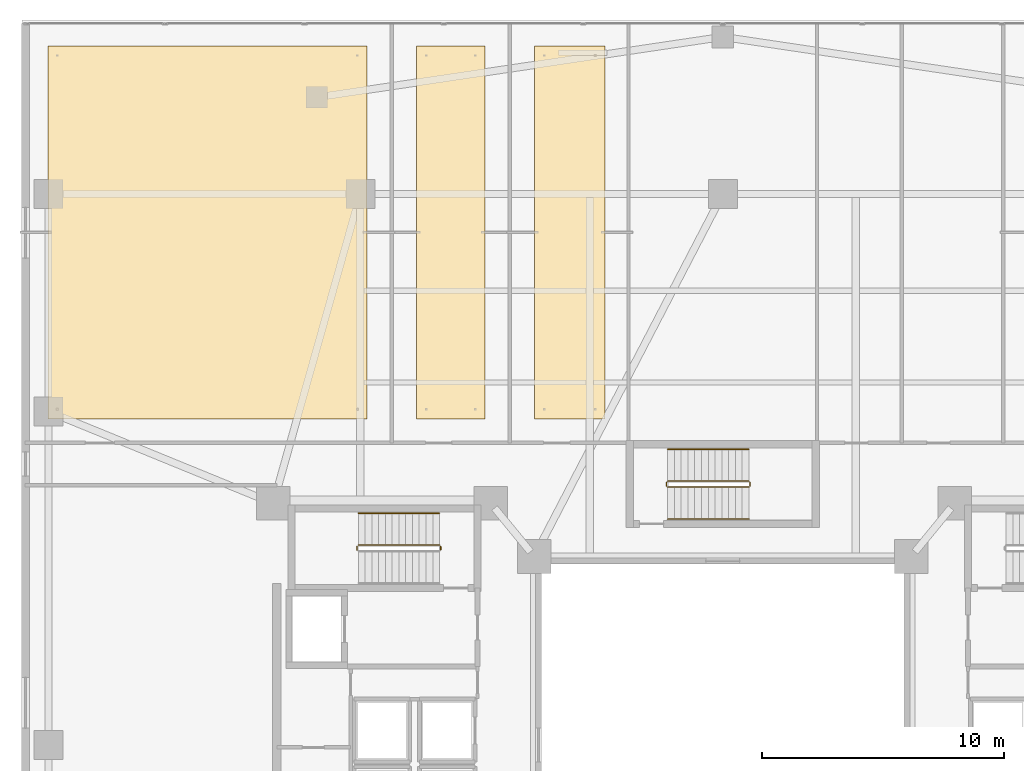
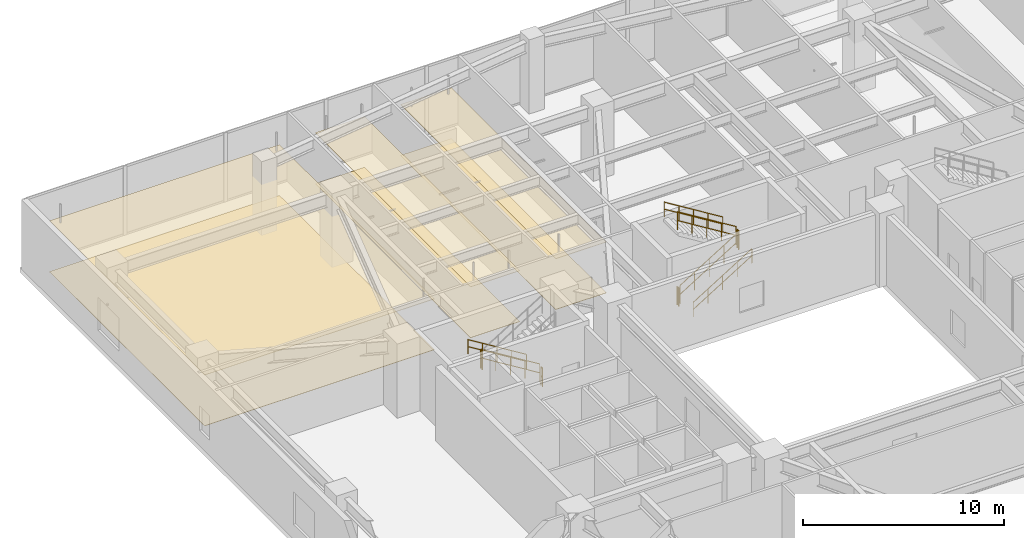
# One storey, part 26 of 27: 10 railings, 6 coverings.
"""IFC4 building model written with IfcOpenShell, lengths in metres."""

from ifc_helpers import new_model, si_unit, direction, frame, origin, origin_2d, place, context, subcontext, project, spatial, polyline, circle, outline, extrude, material, layer, layer_set, type_object, element, save


model = new_model("IFC4")

# Units and contexts
model_context = context("Model", 3, precision=1e-05, world=origin(), true_north=direction((0.0, 1.0)))
body_context = subcontext(model_context, "Body", "Model", "MODEL_VIEW")
ifc_project = project(units=[si_unit("LENGTHUNIT", "METRE"), si_unit("AREAUNIT", "SQUARE_METRE"), si_unit("VOLUMEUNIT", "CUBIC_METRE"), si_unit("PLANEANGLEUNIT", "RADIAN"), si_unit("MASSUNIT", "GRAM", prefix="KILO")], contexts=[model_context])

# Site, building, storey
site_placement = place(None, origin())
site = spatial("IfcSite", under=ifc_project, at=site_placement, CompositionType="ELEMENT")
building_placement = place(site_placement, origin())
building = spatial("IfcBuilding", under=site, at=building_placement, Name="Tarnavaz Court Tower", CompositionType="ELEMENT")
storey_placement = place(building_placement, frame((0.0, 0.0, 9.89990234375)))
storey = spatial("IfcBuildingStorey", under=building, at=storey_placement, Name="L02", CompositionType="ELEMENT", Elevation=9.89990234375)

# Coverings
ifc_material_1 = material(Name="Perforated Gypsum Acoustic Ceiling Tile", Category="masonry")
ifc_layer_1 = layer(ifc_material_1, 0.02490234375)
ifc_layer_set_1 = layer_set([ifc_layer_1], Name="Perforated Gypsum Acoustic Ceiling Tile")
covering_type_1 = type_object("IfcCoveringType", Name="CV-CEIL-AC", PredefinedType="CEILING", material=ifc_layer_set_1)
covering_1_placement = place(storey_placement, frame((0.0, 0.0, 3.080078125)))
element("IfcCovering", 1, at=covering_1_placement, inside=storey, type_object=covering_type_1, Name="L02 Paediatric and Maternal Waiting Room Suspended Acoustic Ceiling", PredefinedType="CEILING", context=body_context, shape_type="SweptSolid", body=[
    extrude(outline(polyline([(-27.929931640625, 13.5), (-14.72998046875, 13.5), (-14.72998046875, 28.929931640625), (-27.929931640625, 28.929931640625), (-27.929931640625, 13.5)])), origin(), (0.0, 0.0, 1.0), 0.02490234375),
])
covering_2_placement = place(storey_placement, frame((0.0, 0.0, 3.080078125)))
element("IfcCovering", 2, at=covering_2_placement, inside=storey, type_object=covering_type_1, Name="L02 Specialist Dental and Ophthalmology Clinic Suspended Acoustic Ceiling", PredefinedType="CEILING", context=body_context, shape_type="SweptSolid", body=[
    extrude(outline(polyline([(-12.669921875, 13.5), (-9.840087890625, 13.5), (-9.840087890625, 28.929931640625), (-12.669921875, 28.929931640625), (-12.669921875, 13.5)])), origin(), (0.0, 0.0, 1.0), 0.02490234375),
])
covering_3_placement = place(storey_placement, frame((0.0, 0.0, 3.080078125)))
element("IfcCovering", 3, at=covering_3_placement, inside=storey, type_object=covering_type_1, Name="L02 L02 Consultation Room North Suspended Acoustic Ceiling", PredefinedType="CEILING", context=body_context, shape_type="SweptSolid", body=[
    extrude(outline(polyline([(-7.780029296875, 13.5), (-4.8701171875, 13.5), (-4.8701171875, 28.929931640625), (-7.780029296875, 28.929931640625), (-7.780029296875, 13.5)])), origin(), (0.0, 0.0, 1.0), 0.02490234375),
])
ifc_material_2 = material(Name="Glazed Khorasan Porcelain Floor Tile", Category="masonry")
ifc_layer_2 = layer(ifc_material_2, 0.02001953125)
ifc_layer_set_2 = layer_set([ifc_layer_2], Name="Glazed Khorasan Porcelain Floor Tile")
covering_type_2 = type_object("IfcCoveringType", Name="CV-FLR-PORC", PredefinedType="FLOORING", material=ifc_layer_set_2)
covering_4_placement = place(storey_placement, origin())
element("IfcCovering", 4, at=covering_4_placement, inside=storey, type_object=covering_type_2, Name="L02 Paediatric and Maternal Waiting Room Porcelain Floor Finish", PredefinedType="FLOORING", context=body_context, shape_type="SweptSolid", body=[
    extrude(outline(polyline([(-27.929931640625, 13.5), (-14.72998046875, 13.5), (-14.72998046875, 28.929931640625), (-27.929931640625, 28.929931640625), (-27.929931640625, 13.5)])), origin(), (0.0, 0.0, 1.0), 0.02001953125),
])
covering_5_placement = place(storey_placement, origin())
element("IfcCovering", 5, at=covering_5_placement, inside=storey, type_object=covering_type_2, Name="L02 Specialist Dental and Ophthalmology Clinic Porcelain Floor Finish", PredefinedType="FLOORING", context=body_context, shape_type="SweptSolid", body=[
    extrude(outline(polyline([(-12.669921875, 13.5), (-9.840087890625, 13.5), (-9.840087890625, 28.929931640625), (-12.669921875, 28.929931640625), (-12.669921875, 13.5)])), origin(), (0.0, 0.0, 1.0), 0.02001953125),
])
covering_6_placement = place(storey_placement, origin())
element("IfcCovering", 6, at=covering_6_placement, inside=storey, type_object=covering_type_2, Name="L02 L02 Consultation Room North Porcelain Floor Finish", PredefinedType="FLOORING", context=body_context, shape_type="SweptSolid", body=[
    extrude(outline(polyline([(-7.780029296875, 13.5), (-4.8701171875, 13.5), (-4.8701171875, 28.929931640625), (-7.780029296875, 28.929931640625), (-7.780029296875, 13.5)])), origin(), (0.0, 0.0, 1.0), 0.02001953125),
])

# Railings
ifc_material_3 = material(Name="Brushed Stainless Steel", Category="steel")
railing_type_1 = type_object("IfcRailingType", Name="RL-HANDRAIL-900", PredefinedType="HANDRAIL", material=ifc_material_3)
railing_1_placement = place(storey_placement, frame((-11.719970703125, 9.590087890625, 0.173095703125)))
element("IfcRailing", 7, at=railing_1_placement, inside=storey, type_object=railing_type_1, Name="L02 ST-W1 stair handrail 1", PredefinedType="HANDRAIL", context=body_context, shape_type="SweptSolid", body=[
    extrude(circle(Radius=0.02392578125, at=origin_2d()), frame((0.0, 0.0, 0.8759765625), z_axis=(-0.850623216509, 0.0, 0.525775754039), x_axis=(0.0, -1.0, 0.0)), (0.0, 0.0, 1.0), 3.9501953125),
    extrude(circle(Radius=0.02392578125, at=origin_2d()), frame((0.0, 0.0, 0.449951171875), z_axis=(-0.850623216509, 0.0, 0.525775754039), x_axis=(0.0, -1.0, 0.0)), (0.0, 0.0, 1.0), 3.9501953125),
    extrude(circle(Radius=0.02099609375, at=origin_2d()), origin(), (0.0, 0.0, 1.0), 0.851806640625),
    extrude(circle(Radius=0.02099609375, at=origin_2d()), frame((-0.840087890625, 0.0, 0.519287109375)), (0.0, 0.0, 1.0), 0.851806640625),
    extrude(circle(Radius=0.02099609375, at=origin_2d()), frame((-1.68017578125, 0.0, 1.03857421875)), (0.0, 0.0, 1.0), 0.851806640625),
    extrude(circle(Radius=0.02099609375, at=origin_2d()), frame((-2.52001953125, 0.0, 1.5576171875)), (0.0, 0.0, 1.0), 0.851806640625),
    extrude(circle(Radius=0.02099609375, at=origin_2d()), frame((-3.360107421875, 0.0, 2.076904296875)), (0.0, 0.0, 1.0), 0.851806640625),
])
railing_2_placement = place(storey_placement, frame((-2.280029296875, 9.35009765625, 0.173095703125)))
element("IfcRailing", 8, at=railing_2_placement, inside=storey, type_object=railing_type_1, Name="L02 ST-N1 stair handrail 1", PredefinedType="HANDRAIL", context=body_context, shape_type="SweptSolid", body=[
    extrude(circle(Radius=0.02392578125, at=origin_2d()), frame((0.0, 0.0, 0.8759765625), z_axis=(0.850623216509, 0.0, 0.525775754039), x_axis=(0.0, 1.0, 0.0)), (0.0, 0.0, 1.0), 3.9501953125),
    extrude(circle(Radius=0.02392578125, at=origin_2d()), frame((0.0, 0.0, 0.449951171875), z_axis=(0.850623216509, 0.0, 0.525775754039), x_axis=(0.0, 1.0, 0.0)), (0.0, 0.0, 1.0), 3.9501953125),
    extrude(circle(Radius=0.02099609375, at=origin_2d()), origin(), (0.0, 0.0, 1.0), 0.851806640625),
    extrude(circle(Radius=0.02099609375, at=origin_2d()), frame((0.840087890625, 0.0, 0.519287109375)), (0.0, 0.0, 1.0), 0.851806640625),
    extrude(circle(Radius=0.02099609375, at=origin_2d()), frame((1.68017578125, 0.0, 1.03857421875)), (0.0, 0.0, 1.0), 0.851806640625),
    extrude(circle(Radius=0.02099609375, at=origin_2d()), frame((2.52001953125, 0.0, 1.5576171875)), (0.0, 0.0, 1.0), 0.851806640625),
    extrude(circle(Radius=0.02099609375, at=origin_2d()), frame((3.360107421875, 0.0, 2.076904296875)), (0.0, 0.0, 1.0), 0.851806640625),
])
railing_3_placement = place(storey_placement, frame((1.080078125, 12.239990234375, 2.423095703125)))
element("IfcRailing", 9, at=railing_3_placement, inside=storey, type_object=railing_type_1, Name="L02 ST-N1 stair handrail 2", PredefinedType="HANDRAIL", context=body_context, shape_type="SweptSolid", body=[
    extrude(circle(Radius=0.02392578125, at=origin_2d()), frame((0.0, 0.0, 0.8759765625), z_axis=(-0.850623216509, 0.0, 0.525775754039), x_axis=(0.0, -1.0, 0.0)), (0.0, 0.0, 1.0), 3.9501953125),
    extrude(circle(Radius=0.02392578125, at=origin_2d()), frame((0.0, 0.0, 0.449951171875), z_axis=(-0.850623216509, 0.0, 0.525775754039), x_axis=(0.0, -1.0, 0.0)), (0.0, 0.0, 1.0), 3.9501953125),
    extrude(circle(Radius=0.02099609375, at=origin_2d()), origin(), (0.0, 0.0, 1.0), 0.851806640625),
    extrude(circle(Radius=0.02099609375, at=origin_2d()), frame((-0.840087890625, 0.0, 0.519287109375)), (0.0, 0.0, 1.0), 0.851806640625),
    extrude(circle(Radius=0.02099609375, at=origin_2d()), frame((-1.68017578125, 0.0, 1.03857421875)), (0.0, 0.0, 1.0), 0.851806640625),
    extrude(circle(Radius=0.02099609375, at=origin_2d()), frame((-2.52001953125, 0.0, 1.5576171875)), (0.0, 0.0, 1.0), 0.851806640625),
    extrude(circle(Radius=0.02099609375, at=origin_2d()), frame((-3.360107421875, 0.0, 2.076904296875)), (0.0, 0.0, 1.0), 0.851806640625),
])
ifc_material_4 = material(Name="Galvanized Painted Tubular Steel", Category="steel")
railing_type_2 = type_object("IfcRailingType", Name="RL-STGUARD-1120", PredefinedType="GUARDRAIL", material=ifc_material_4)
railing_4_placement = place(storey_placement, frame((-11.719970703125, 8.27001953125, 0.173095703125)))
element("IfcRailing", 10, at=railing_4_placement, inside=storey, type_object=railing_type_2, Name="L02 ST-W1 stair guard 1", PredefinedType="GUARDRAIL", context=body_context, shape_type="SweptSolid", body=[
    extrude(circle(Radius=0.02392578125, at=origin_2d()), frame((0.0, 0.0, 1.09619140625), z_axis=(-0.850623216509, 0.0, 0.525775754039), x_axis=(0.0, -1.0, 0.0)), (0.0, 0.0, 1.0), 3.9501953125),
    extrude(circle(Radius=0.02392578125, at=origin_2d()), frame((0.0, 0.0, 0.56005859375), z_axis=(-0.850623216509, 0.0, 0.525775754039), x_axis=(0.0, -1.0, 0.0)), (0.0, 0.0, 1.0), 3.9501953125),
    extrude(circle(Radius=0.02099609375, at=origin_2d()), origin(), (0.0, 0.0, 1.0), 1.072021484375),
    extrude(circle(Radius=0.02099609375, at=origin_2d()), frame((-0.840087890625, 0.0, 0.519287109375)), (0.0, 0.0, 1.0), 1.072021484375),
    extrude(circle(Radius=0.02099609375, at=origin_2d()), frame((-1.68017578125, 0.0, 1.03857421875)), (0.0, 0.0, 1.0), 1.072021484375),
    extrude(circle(Radius=0.02099609375, at=origin_2d()), frame((-2.52001953125, 0.0, 1.5576171875)), (0.0, 0.0, 1.0), 1.072021484375),
    extrude(circle(Radius=0.02099609375, at=origin_2d()), frame((-3.360107421875, 0.0, 2.076904296875)), (0.0, 0.0, 1.0), 1.072021484375),
])
for number, where, name in (
    (11, (-15.1298828125, 8.219970703125, 2.25), "L02 ST-W1 stair guard 2"),
    (12, (-11.669921875, 8.219970703125, 0.0), "L02 ST-W1 stair guard 4"),
):
    element("IfcRailing", number, at=place(storey_placement, frame(where)), inside=storey, type_object=railing_type_2, Name=name, PredefinedType="GUARDRAIL", context=body_context, shape_type="SweptSolid", body=[
        extrude(circle(Radius=0.02392578125, at=origin_2d()), frame((0.0, 0.0, 1.09619140625), z_axis=(0.0, -1.0, 0.0), x_axis=(1.0, 0.0, 0.0)), (0.0, 0.0, 1.0), 0.14990234375),
        extrude(circle(Radius=0.02392578125, at=origin_2d()), frame((0.0, 0.0, 0.56005859375), z_axis=(0.0, -1.0, 0.0), x_axis=(1.0, 0.0, 0.0)), (0.0, 0.0, 1.0), 0.14990234375),
        extrude(circle(Radius=0.02099609375, at=origin_2d()), origin(), (0.0, 0.0, 1.0), 1.072021484375),
        extrude(circle(Radius=0.02099609375, at=origin_2d()), frame((0.0, -0.14990234375, 0.0)), (0.0, 0.0, 1.0), 1.072021484375),
    ])
railing_5_placement = place(storey_placement, frame((-2.280029296875, 10.669921875, 0.173095703125)))
element("IfcRailing", 13, at=railing_5_placement, inside=storey, type_object=railing_type_2, Name="L02 ST-N1 stair guard 1", PredefinedType="GUARDRAIL", context=body_context, shape_type="SweptSolid", body=[
    extrude(circle(Radius=0.02392578125, at=origin_2d()), frame((0.0, 0.0, 1.09619140625), z_axis=(0.850623216509, 0.0, 0.525775754039), x_axis=(0.0, 1.0, 0.0)), (0.0, 0.0, 1.0), 3.9501953125),
    extrude(circle(Radius=0.02392578125, at=origin_2d()), frame((0.0, 0.0, 0.56005859375), z_axis=(0.850623216509, 0.0, 0.525775754039), x_axis=(0.0, 1.0, 0.0)), (0.0, 0.0, 1.0), 3.9501953125),
    extrude(circle(Radius=0.02099609375, at=origin_2d()), origin(), (0.0, 0.0, 1.0), 1.072021484375),
    extrude(circle(Radius=0.02099609375, at=origin_2d()), frame((0.840087890625, 0.0, 0.519287109375)), (0.0, 0.0, 1.0), 1.072021484375),
    extrude(circle(Radius=0.02099609375, at=origin_2d()), frame((1.68017578125, 0.0, 1.03857421875)), (0.0, 0.0, 1.0), 1.072021484375),
    extrude(circle(Radius=0.02099609375, at=origin_2d()), frame((2.52001953125, 0.0, 1.5576171875)), (0.0, 0.0, 1.0), 1.072021484375),
    extrude(circle(Radius=0.02099609375, at=origin_2d()), frame((3.360107421875, 0.0, 2.076904296875)), (0.0, 0.0, 1.0), 1.072021484375),
])
railing_6_placement = place(storey_placement, frame((1.1298828125, 10.719970703125, 2.25)))
element("IfcRailing", 14, at=railing_6_placement, inside=storey, type_object=railing_type_2, Name="L02 ST-N1 stair guard 2", PredefinedType="GUARDRAIL", context=body_context, shape_type="SweptSolid", body=[
    extrude(circle(Radius=0.02392578125, at=origin_2d()), frame((0.0, 0.0, 1.09619140625), z_axis=(0.0, 1.0, 0.0), x_axis=(-1.0, 0.0, 0.0)), (0.0, 0.0, 1.0), 0.150146484375),
    extrude(circle(Radius=0.02392578125, at=origin_2d()), frame((0.0, 0.0, 0.56005859375), z_axis=(0.0, 1.0, 0.0), x_axis=(-1.0, 0.0, 0.0)), (0.0, 0.0, 1.0), 0.150146484375),
    extrude(circle(Radius=0.02099609375, at=origin_2d()), origin(), (0.0, 0.0, 1.0), 1.072021484375),
    extrude(circle(Radius=0.02099609375, at=origin_2d()), frame((0.0, 0.150146484375, 0.0)), (0.0, 0.0, 1.0), 1.072021484375),
])
railing_7_placement = place(storey_placement, frame((1.080078125, 10.919921875, 2.423095703125)))
element("IfcRailing", 15, at=railing_7_placement, inside=storey, type_object=railing_type_2, Name="L02 ST-N1 stair guard 3", PredefinedType="GUARDRAIL", context=body_context, shape_type="SweptSolid", body=[
    extrude(circle(Radius=0.02392578125, at=origin_2d()), frame((0.0, 0.0, 1.09619140625), z_axis=(-0.850623216509, 0.0, 0.525775754039), x_axis=(0.0, -1.0, 0.0)), (0.0, 0.0, 1.0), 3.9501953125),
    extrude(circle(Radius=0.02392578125, at=origin_2d()), frame((0.0, 0.0, 0.56005859375), z_axis=(-0.850623216509, 0.0, 0.525775754039), x_axis=(0.0, -1.0, 0.0)), (0.0, 0.0, 1.0), 3.9501953125),
    extrude(circle(Radius=0.02099609375, at=origin_2d()), origin(), (0.0, 0.0, 1.0), 1.072021484375),
    extrude(circle(Radius=0.02099609375, at=origin_2d()), frame((-0.840087890625, 0.0, 0.519287109375)), (0.0, 0.0, 1.0), 1.072021484375),
    extrude(circle(Radius=0.02099609375, at=origin_2d()), frame((-1.68017578125, 0.0, 1.03857421875)), (0.0, 0.0, 1.0), 1.072021484375),
    extrude(circle(Radius=0.02099609375, at=origin_2d()), frame((-2.52001953125, 0.0, 1.5576171875)), (0.0, 0.0, 1.0), 1.072021484375),
    extrude(circle(Radius=0.02099609375, at=origin_2d()), frame((-3.360107421875, 0.0, 2.076904296875)), (0.0, 0.0, 1.0), 1.072021484375),
])
railing_8_placement = place(storey_placement, frame((-2.330078125, 10.719970703125, 0.0)))
element("IfcRailing", 16, at=railing_8_placement, inside=storey, type_object=railing_type_2, Name="L02 ST-N1 stair guard 4", PredefinedType="GUARDRAIL", context=body_context, shape_type="SweptSolid", body=[
    extrude(circle(Radius=0.02392578125, at=origin_2d()), frame((0.0, 0.0, 1.09619140625), z_axis=(0.0, 1.0, 0.0), x_axis=(-1.0, 0.0, 0.0)), (0.0, 0.0, 1.0), 0.150146484375),
    extrude(circle(Radius=0.02392578125, at=origin_2d()), frame((0.0, 0.0, 0.56005859375), z_axis=(0.0, 1.0, 0.0), x_axis=(-1.0, 0.0, 0.0)), (0.0, 0.0, 1.0), 0.150146484375),
    extrude(circle(Radius=0.02099609375, at=origin_2d()), origin(), (0.0, 0.0, 1.0), 1.072021484375),
    extrude(circle(Radius=0.02099609375, at=origin_2d()), frame((0.0, 0.150146484375, 0.0)), (0.0, 0.0, 1.0), 1.072021484375),
])

save(model, "model.ifc")
